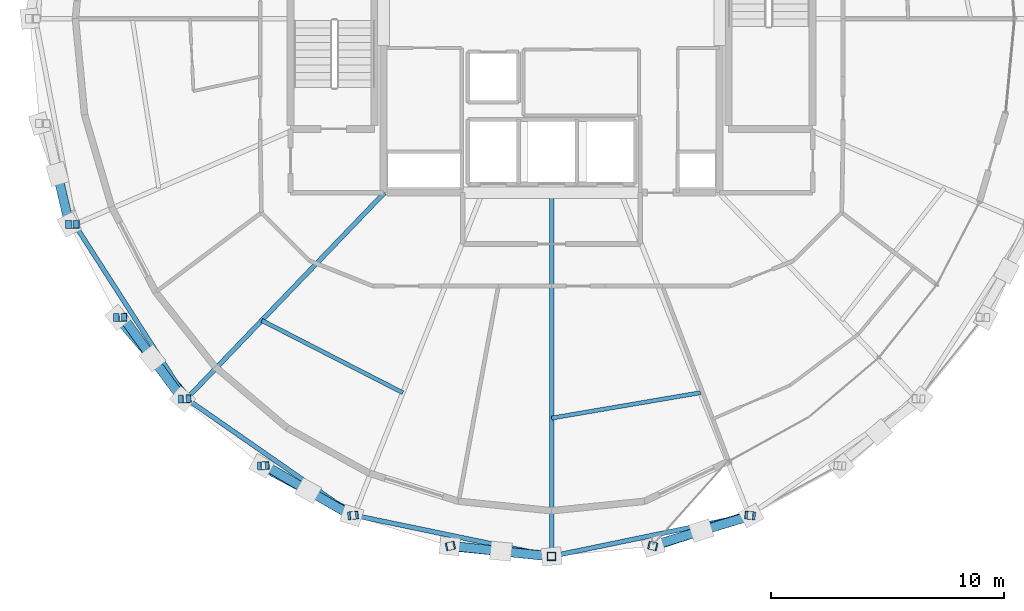
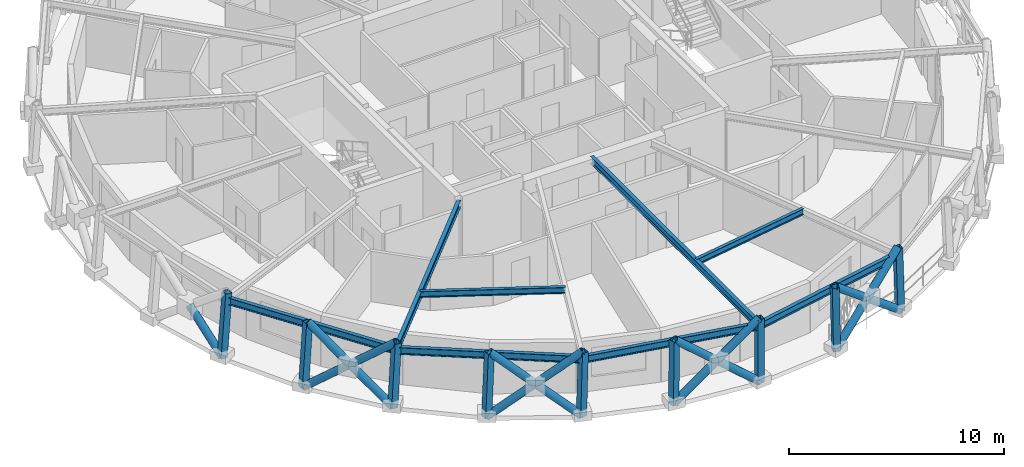
# One storey, part 1 of 15: 22 members, 8 beams.
"""IFC4 building model written with IfcOpenShell, lengths in metres."""

from ifc_helpers import new_model, si_unit, direction, frame, origin, origin_2d, place, context, subcontext, project, spatial, hollow_rectangle, hollow_circle, i_section, extrude, material, material_profile, profile_set, type_object, element, save


model = new_model("IFC4")

# Units and contexts
model_context = context("Model", 3, precision=1e-05, world=origin(), true_north=direction((0.0, 1.0)))
body_context = subcontext(model_context, "Body", "Model", "MODEL_VIEW")
ifc_project = project(units=[si_unit("LENGTHUNIT", "METRE"), si_unit("AREAUNIT", "SQUARE_METRE"), si_unit("VOLUMEUNIT", "CUBIC_METRE"), si_unit("PLANEANGLEUNIT", "RADIAN"), si_unit("MASSUNIT", "GRAM", prefix="KILO")], contexts=[model_context])

# Site, building, storey
site_placement = place(None, origin())
site = spatial("IfcSite", under=ifc_project, at=site_placement, CompositionType="ELEMENT")
building_placement = place(site_placement, origin())
building = spatial("IfcBuilding", under=site, at=building_placement, Name="Veldorina Hangang Commons", CompositionType="ELEMENT")
storey_placement = place(building_placement, frame((0.0, 0.0, 258.0)))
storey = spatial("IfcBuildingStorey", under=building, at=storey_placement, Name="L67", CompositionType="ELEMENT", Elevation=258.0)

# Beams
ifc_material = material(Name="Steel SM355-TMC", Category="steel")
ifc_material_profile_1 = material_profile(ifc_material, i_section(OverallWidth=0.199951171875, OverallDepth=0.39990234375, WebThickness=0.008056640625, FlangeThickness=0.012939453125, FilletRadius=0.012939453125, at=origin_2d()), Name="H-400x200x8x13")
ifc_profile_set_1 = profile_set([ifc_material_profile_1], Name="Steel SM355-TMC")
beam_type_1 = type_object("IfcBeamType", Name="BM-FG400", PredefinedType="BEAM", material=ifc_profile_set_1)
beam_1_placement = place(storey_placement, frame((24.845703125, 16.550048828125, 3.159912109375), z_axis=(-0.69265262439, -0.721271337241, 0.0), x_axis=(0.721271337241, -0.69265262439, 0.0)))
element("IfcBeam", 1, at=beam_1_placement, inside=storey, type_object=beam_type_1, Name="L67 radial floor girder 11", PredefinedType="BEAM", context=body_context, shape_type="SweptSolid", body=[
    extrude(i_section(OverallWidth=0.199951171875, OverallDepth=0.39990234375, WebThickness=0.008056640625, FlangeThickness=0.012939453125, FilletRadius=0.012939453125, at=origin_2d()), origin(), (0.0, 0.0, 1.0), 12.24169921875),
])
beam_2_placement = place(storey_placement, frame((32.0, 16.550048828125, 3.159912109375), z_axis=(0.0, -1.0, 0.0), x_axis=(1.0, 0.0, 0.0)))
element("IfcBeam", 2, at=beam_2_placement, inside=storey, type_object=beam_type_1, Name="L67 radial floor girder 13", PredefinedType="BEAM", context=body_context, shape_type="SweptSolid", body=[
    extrude(i_section(OverallWidth=0.199951171875, OverallDepth=0.39990234375, WebThickness=0.008056640625, FlangeThickness=0.012939453125, FilletRadius=0.012939453125, at=origin_2d()), origin(), (0.0, 0.0, 1.0), 15.57275390625),
])
ifc_material_profile_2 = material_profile(ifc_material, i_section(OverallWidth=0.175048828125, OverallDepth=0.35009765625, WebThickness=0.007080078125, FlangeThickness=0.010986328125, FilletRadius=0.012939453125, at=origin_2d()), Name="H-350x175x7x11")
ifc_profile_set_2 = profile_set([ifc_material_profile_2], Name="Steel SM355-TMC")
beam_type_2 = type_object("IfcBeamType", Name="BM-JST350", PredefinedType="JOIST", material=ifc_profile_set_2)
beam_3_placement = place(storey_placement, frame((19.588623046875, 11.07568359375, 3.18505859375), z_axis=(0.889994938613, -0.455970403912, 0.0), x_axis=(0.455970403912, 0.889994938613, 0.0)))
element("IfcBeam", 3, at=beam_3_placement, inside=storey, type_object=beam_type_2, Name="L67 secondary floor joist 11", PredefinedType="JOIST", context=body_context, shape_type="SweptSolid", body=[
    extrude(i_section(OverallWidth=0.175048828125, OverallDepth=0.35009765625, WebThickness=0.007080078125, FlangeThickness=0.010986328125, FilletRadius=0.012939453125, at=origin_2d()), origin(), (0.0, 0.0, 1.0), 6.7861328125),
])
beam_4_placement = place(storey_placement, frame((32.0, 6.89501953125, 3.18505859375), z_axis=(0.985773538911, 0.168078939735, 0.0), x_axis=(-0.168078939735, 0.985773538911, 0.0)))
element("IfcBeam", 4, at=beam_4_placement, inside=storey, type_object=beam_type_2, Name="L67 secondary floor joist 13", PredefinedType="JOIST", context=body_context, shape_type="SweptSolid", body=[
    extrude(i_section(OverallWidth=0.175048828125, OverallDepth=0.35009765625, WebThickness=0.007080078125, FlangeThickness=0.010986328125, FilletRadius=0.012939453125, at=origin_2d()), origin(), (0.0, 0.0, 1.0), 6.4638671875),
])
ifc_material_profile_3 = material_profile(ifc_material, i_section(OverallWidth=0.199951171875, OverallDepth=0.39990234375, WebThickness=0.008056640625, FlangeThickness=0.012939453125, FilletRadius=0.012939453125, at=origin_2d()), Name="H-400x200x8x13")
ifc_profile_set_3 = profile_set([ifc_material_profile_3], Name="Steel SM355-TMC")
beam_type_3 = type_object("IfcBeamType", Name="BM-RB400", PredefinedType="BEAM", material=ifc_profile_set_3)
beam_5_placement = place(storey_placement, frame((11.573974609375, 15.189697265625, 3.159912109375), z_axis=(0.540026031638, -0.841648314413, 0.0), x_axis=(0.841648314413, 0.540026031638, 0.0)))
element("IfcBeam", 5, at=beam_5_placement, inside=storey, type_object=beam_type_3, Name="L67 perimeter hoop ring beam 18", PredefinedType="BEAM", context=body_context, shape_type="SweptSolid", body=[
    extrude(i_section(OverallWidth=0.199951171875, OverallDepth=0.39990234375, WebThickness=0.008056640625, FlangeThickness=0.012939453125, FilletRadius=0.012939453125, at=origin_2d()), origin(), (0.0, 0.0, 1.0), 8.87451171875),
])
beam_6_placement = place(storey_placement, frame((16.366455078125, 7.720458984375, 3.159912109375), z_axis=(0.820856224935, -0.571134885981, 0.0), x_axis=(0.571134885981, 0.820856224935, 0.0)))
element("IfcBeam", 6, at=beam_6_placement, inside=storey, type_object=beam_type_3, Name="L67 perimeter hoop ring beam 20", PredefinedType="BEAM", context=body_context, shape_type="SweptSolid", body=[
    extrude(i_section(OverallWidth=0.199951171875, OverallDepth=0.39990234375, WebThickness=0.008056640625, FlangeThickness=0.012939453125, FilletRadius=0.012939453125, at=origin_2d()), origin(), (0.0, 0.0, 1.0), 8.73828125),
])
for number, where, z_axis, x_axis, name in (
    (7, (23.539306640625, 2.729736328125, 3.159912109375), (0.97921554659, -0.202822368877, 0.0), (0.202822368877, 0.97921554659, 0.0), "L67 perimeter hoop ring beam 22"),
    (8, (32.0, 0.977294921875, 3.159912109375), (0.97921554659, 0.202822368877, 0.0), (-0.202822368877, 0.97921554659, 0.0), "L67 perimeter hoop ring beam 24"),
):
    element("IfcBeam", number, at=place(storey_placement, frame(where, z_axis=z_axis, x_axis=x_axis)), inside=storey, type_object=beam_type_3, Name=name, PredefinedType="BEAM", context=body_context, shape_type="SweptSolid", body=[
        extrude(i_section(OverallWidth=0.199951171875, OverallDepth=0.39990234375, WebThickness=0.008056640625, FlangeThickness=0.012939453125, FilletRadius=0.012939453125, at=origin_2d()), origin(), (0.0, 0.0, 1.0), 8.640380859375),
    ])

# Members
ifc_material_profile_4 = material_profile(ifc_material, hollow_circle(Radius=0.199951171875, WallThickness=0.02001953125, at=origin_2d()), Name="CHS-400x20")
ifc_profile_set_4 = profile_set([ifc_material_profile_4], Name="Steel SM355-TMC")
member_type_1 = type_object("IfcMemberType", Name="DG-CHS400", PredefinedType="BRACE", material=ifc_profile_set_4)
member_1_placement = place(storey_placement, frame((11.3486328125, 15.185546875, 0.0), z_axis=(-0.177381012936, 0.755983017097, 0.630099717594), x_axis=(-0.973559775322, -0.228432405484, 0.0)))
element("IfcMember", 9, at=member_1_placement, inside=storey, type_object=member_type_1, Name="L67 split perimeter diagrid lower brace 18", PredefinedType="BRACE", context=body_context, shape_type="SweptSolid", body=[
    extrude(hollow_circle(Radius=0.199951171875, WallThickness=0.02001953125, at=origin_2d()), origin(), (0.0, 0.0, 1.0), 2.858642578125),
])
member_2_placement = place(storey_placement, frame((13.414306640625, 11.203369140625, 0.0), z_axis=(0.510844346548, -0.597633406572, 0.617958222657), x_axis=(0.760143848948, 0.64975482215, 0.0)))
element("IfcMember", 10, at=member_2_placement, inside=storey, type_object=member_type_1, Name="L67 continuous perimeter diagrid brace 19", PredefinedType="BRACE", context=body_context, shape_type="SweptSolid", body=[
    extrude(hollow_circle(Radius=0.199951171875, WallThickness=0.02001953125, at=origin_2d()), origin(), (0.0, 0.0, 1.0), 5.82568359375),
])
member_3_placement = place(storey_placement, frame((16.194091796875, 7.712890625, 0.0), z_axis=(-0.456438552221, 0.618506686498, 0.639619673558), x_axis=(-0.804622738502, -0.5937863662, 0.0)))
element("IfcMember", 11, at=member_3_placement, inside=storey, type_object=member_type_1, Name="L67 split perimeter diagrid lower brace 20", PredefinedType="BRACE", context=body_context, shape_type="SweptSolid", body=[
    extrude(hollow_circle(Radius=0.199951171875, WallThickness=0.02001953125, at=origin_2d()), origin(), (0.0, 0.0, 1.0), 2.821533203125),
])
member_4_placement = place(storey_placement, frame((14.90625, 9.4580078125, 1.8046875), z_axis=(-0.44910009396, 0.624044796583, 0.639435061177), x_axis=(-0.811665170007, -0.584122976604, 0.0)))
element("IfcMember", 12, at=member_4_placement, inside=storey, type_object=member_type_1, Name="L67 split perimeter diagrid upper brace 20", PredefinedType="BRACE", context=body_context, shape_type="SweptSolid", body=[
    extrude(hollow_circle(Radius=0.199951171875, WallThickness=0.02001953125, at=origin_2d()), origin(), (0.0, 0.0, 1.0), 2.807861328125),
])
member_5_placement = place(storey_placement, frame((19.581298828125, 4.848388671875, 0.0), z_axis=(0.689047508184, -0.367379034182, 0.624696867856), x_axis=(0.470475597011, 0.882413005694, 0.0)))
element("IfcMember", 13, at=member_5_placement, inside=storey, type_object=member_type_1, Name="L67 continuous perimeter diagrid brace 21", PredefinedType="BRACE", context=body_context, shape_type="SweptSolid", body=[
    extrude(hollow_circle(Radius=0.199951171875, WallThickness=0.02001953125, at=origin_2d()), origin(), (0.0, 0.0, 1.0), 5.762939453125),
])
member_6_placement = place(storey_placement, frame((23.446044921875, 2.719970703125, 0.0), z_axis=(-0.665179740594, 0.378799797432, 0.643464549271), x_axis=(-0.494855280034, -0.868975403462, 0.0)))
element("IfcMember", 14, at=member_6_placement, inside=storey, type_object=member_type_1, Name="L67 split perimeter diagrid lower brace 22", PredefinedType="BRACE", context=body_context, shape_type="SweptSolid", body=[
    extrude(hollow_circle(Radius=0.199951171875, WallThickness=0.02001953125, at=origin_2d()), origin(), (0.0, 0.0, 1.0), 2.810791015625),
])
member_7_placement = place(storey_placement, frame((21.576416015625, 3.78466796875, 1.80859375), z_axis=(-0.661177037442, 0.385745064683, 0.643463806466), x_axis=(-0.503928005216, -0.863745660226, 0.0)))
element("IfcMember", 15, at=member_7_placement, inside=storey, type_object=member_type_1, Name="L67 split perimeter diagrid upper brace 22", PredefinedType="BRACE", context=body_context, shape_type="SweptSolid", body=[
    extrude(hollow_circle(Radius=0.199951171875, WallThickness=0.02001953125, at=origin_2d()), origin(), (0.0, 0.0, 1.0), 2.7841796875),
])
member_8_placement = place(storey_placement, frame((27.63916015625, 1.4091796875, 0.0), z_axis=(0.768940284275, -0.075895292866, 0.634799766651), x_axis=(0.098223868467, 0.995164344047, 0.0)))
element("IfcMember", 16, at=member_8_placement, inside=storey, type_object=member_type_1, Name="L67 continuous perimeter diagrid brace 23", PredefinedType="BRACE", context=body_context, shape_type="SweptSolid", body=[
    extrude(hollow_circle(Radius=0.199951171875, WallThickness=0.02001953125, at=origin_2d()), origin(), (0.0, 0.0, 1.0), 5.671142578125),
])
member_9_placement = place(storey_placement, frame((32.0, 0.966796875, 0.0), z_axis=(-0.764871989399, 0.079710071, 0.639231682893), x_axis=(-0.103652273178, -0.994613596461, 0.0)))
element("IfcMember", 17, at=member_9_placement, inside=storey, type_object=member_type_1, Name="L67 split perimeter diagrid lower brace 24", PredefinedType="BRACE", context=body_context, shape_type="SweptSolid", body=[
    extrude(hollow_circle(Radius=0.199951171875, WallThickness=0.02001953125, at=origin_2d()), origin(), (0.0, 0.0, 1.0), 2.833251953125),
])
member_10_placement = place(storey_placement, frame((29.8330078125, 1.192626953125, 1.81103515625), z_axis=(-0.764596244034, 0.081659297628, 0.639315526732), x_axis=(-0.106196606799, -0.994345151697, 0.0)))
element("IfcMember", 18, at=member_10_placement, inside=storey, type_object=member_type_1, Name="L67 split perimeter diagrid upper brace 24", PredefinedType="BRACE", context=body_context, shape_type="SweptSolid", body=[
    extrude(hollow_circle(Radius=0.199951171875, WallThickness=0.02001953125, at=origin_2d()), origin(), (0.0, 0.0, 1.0), 2.79833984375),
])
member_11_placement = place(storey_placement, frame((36.36083984375, 1.4091796875, 0.0), z_axis=(0.729209768478, 0.235882371344, 0.642349297848), x_axis=(-0.307774886304, 0.951459205305, 0.0)))
element("IfcMember", 19, at=member_11_placement, inside=storey, type_object=member_type_1, Name="L67 continuous perimeter diagrid brace 25", PredefinedType="BRACE", context=body_context, shape_type="SweptSolid", body=[
    extrude(hollow_circle(Radius=0.199951171875, WallThickness=0.02001953125, at=origin_2d()), origin(), (0.0, 0.0, 1.0), 5.6044921875),
])
member_12_placement = place(storey_placement, frame((40.553955078125, 2.719970703125, 0.0), z_axis=(-0.743646091861, -0.224698819123, 0.629683198715), x_axis=(0.289242753829, -0.95725578053, 0.0)))
element("IfcMember", 20, at=member_12_placement, inside=storey, type_object=member_type_1, Name="L67 split perimeter diagrid lower brace 26", PredefinedType="BRACE", context=body_context, shape_type="SweptSolid", body=[
    extrude(hollow_circle(Radius=0.199951171875, WallThickness=0.02001953125, at=origin_2d()), origin(), (0.0, 0.0, 1.0), 2.875),
])
member_13_placement = place(storey_placement, frame((38.416015625, 2.073974609375, 1.810302734375), z_axis=(-0.7421206145, -0.2296794587, 0.629685905659), x_axis=(0.295654899416, -0.95529481337, 0.0)))
element("IfcMember", 21, at=member_13_placement, inside=storey, type_object=member_type_1, Name="L67 split perimeter diagrid upper brace 26", PredefinedType="BRACE", context=body_context, shape_type="SweptSolid", body=[
    extrude(hollow_circle(Radius=0.199951171875, WallThickness=0.02001953125, at=origin_2d()), origin(), (0.0, 0.0, 1.0), 2.84228515625),
])
ifc_material_profile_5 = material_profile(ifc_material, hollow_rectangle(XDim=0.35009765625, YDim=0.35009765625, WallThickness=0.01611328125, at=origin_2d()), Name="SHS-350x350x16")
ifc_profile_set_5 = profile_set([ifc_material_profile_5], Name="Steel SM355-TMC")
member_type_2 = type_object("IfcMemberType", Name="STR-SHS350", PredefinedType="STRUT", material=ifc_profile_set_5)
member_14_placement = place(storey_placement, frame((11.3486328125, 15.185546875, 0.0), z_axis=(0.071093161764, 0.001285223667, 0.99746885192), x_axis=(-0.018075067574, 0.999836632622, 0.0)))
element("IfcMember", 22, at=member_14_placement, inside=storey, type_object=member_type_2, Name="L67 perimeter ring node post 18", PredefinedType="STRUT", context=body_context, shape_type="SweptSolid", body=[
    extrude(hollow_rectangle(XDim=0.35009765625, YDim=0.35009765625, WallThickness=0.01611328125, at=origin_2d()), origin(), (0.0, 0.0, 1.0), 3.609130859375),
])
member_15_placement = place(storey_placement, frame((13.414306640625, 11.203369140625, 0.0), z_axis=(0.064021267573, 0.001894921239, 0.997946735338), x_axis=(-0.029585352235, 0.999562257657, 0.0)))
element("IfcMember", 23, at=member_15_placement, inside=storey, type_object=member_type_2, Name="L67 perimeter ring node post 19", PredefinedType="STRUT", context=body_context, shape_type="SweptSolid", body=[
    extrude(hollow_rectangle(XDim=0.35009765625, YDim=0.35009765625, WallThickness=0.01611328125, at=origin_2d()), origin(), (0.0, 0.0, 1.0), 3.607421875),
])
member_16_placement = place(storey_placement, frame((16.194091796875, 7.712890625, 0.0), z_axis=(0.05444223604, 0.002437712061, 0.998513946069), x_axis=(-0.044731300944, 0.998999054412, 0.0)))
element("IfcMember", 24, at=member_16_placement, inside=storey, type_object=member_type_2, Name="L67 perimeter ring node post 20", PredefinedType="STRUT", context=body_context, shape_type="SweptSolid", body=[
    extrude(hollow_rectangle(XDim=0.35009765625, YDim=0.35009765625, WallThickness=0.01611328125, at=origin_2d()), origin(), (0.0, 0.0, 1.0), 3.60546875),
])
member_17_placement = place(storey_placement, frame((19.581298828125, 4.848388671875, 0.0), z_axis=(0.042819597271, 0.002845606148, 0.999078767973), x_axis=(-0.066309434359, 0.997799107494, 0.0)))
element("IfcMember", 25, at=member_17_placement, inside=storey, type_object=member_type_2, Name="L67 perimeter ring node post 21", PredefinedType="STRUT", context=body_context, shape_type="SweptSolid", body=[
    extrude(hollow_rectangle(XDim=0.35009765625, YDim=0.35009765625, WallThickness=0.01611328125, at=origin_2d()), origin(), (0.0, 0.0, 1.0), 3.603515625),
])
member_18_placement = place(storey_placement, frame((23.446044921875, 2.719970703125, 0.0), z_axis=(0.029486554753, 0.003118118434, 0.999560313551), x_axis=(-0.105160783219, 0.994455232614, 0.0)))
element("IfcMember", 26, at=member_18_placement, inside=storey, type_object=member_type_2, Name="L67 perimeter ring node post 22", PredefinedType="STRUT", context=body_context, shape_type="SweptSolid", body=[
    extrude(hollow_rectangle(XDim=0.35009765625, YDim=0.35009765625, WallThickness=0.01611328125, at=origin_2d()), origin(), (0.0, 0.0, 1.0), 3.6015625),
])
member_19_placement = place(storey_placement, frame((27.63916015625, 1.4091796875, 0.0), z_axis=(0.015053141245, 0.003322540185, 0.999881174773), x_axis=(-0.215533022743, 0.97649655202, 0.0)))
element("IfcMember", 27, at=member_19_placement, inside=storey, type_object=member_type_2, Name="L67 perimeter ring node post 23", PredefinedType="STRUT", context=body_context, shape_type="SweptSolid", body=[
    extrude(hollow_rectangle(XDim=0.35009765625, YDim=0.35009765625, WallThickness=0.01611328125, at=origin_2d()), origin(), (0.0, 0.0, 1.0), 3.6005859375),
])
member_20_placement = place(storey_placement, frame((32.0, 0.966796875, 0.0), z_axis=(0.0, 0.003322916688, 0.999994479097), x_axis=(-1.0, 0.0, 0.0)))
element("IfcMember", 28, at=member_20_placement, inside=storey, type_object=member_type_2, Name="L67 perimeter ring node post 24", PredefinedType="STRUT", context=body_context, shape_type="SweptSolid", body=[
    extrude(hollow_rectangle(XDim=0.35009765625, YDim=0.35009765625, WallThickness=0.01611328125, at=origin_2d()), origin(), (0.0, 0.0, 1.0), 3.60009765625),
])
member_21_placement = place(storey_placement, frame((36.36083984375, 1.4091796875, 0.0), z_axis=(-0.015053141245, 0.003322540185, 0.999881174773), x_axis=(-0.215533022743, -0.97649655202, 0.0)))
element("IfcMember", 29, at=member_21_placement, inside=storey, type_object=member_type_2, Name="L67 perimeter ring node post 25", PredefinedType="STRUT", context=body_context, shape_type="SweptSolid", body=[
    extrude(hollow_rectangle(XDim=0.35009765625, YDim=0.35009765625, WallThickness=0.01611328125, at=origin_2d()), origin(), (0.0, 0.0, 1.0), 3.6005859375),
])
member_22_placement = place(storey_placement, frame((40.553955078125, 2.719970703125, 0.0), z_axis=(-0.029486554753, 0.003118118434, 0.999560313551), x_axis=(-0.105160783219, -0.994455232614, 0.0)))
element("IfcMember", 30, at=member_22_placement, inside=storey, type_object=member_type_2, Name="L67 perimeter ring node post 26", PredefinedType="STRUT", context=body_context, shape_type="SweptSolid", body=[
    extrude(hollow_rectangle(XDim=0.35009765625, YDim=0.35009765625, WallThickness=0.01611328125, at=origin_2d()), origin(), (0.0, 0.0, 1.0), 3.6015625),
])

save(model, "model.ifc")
